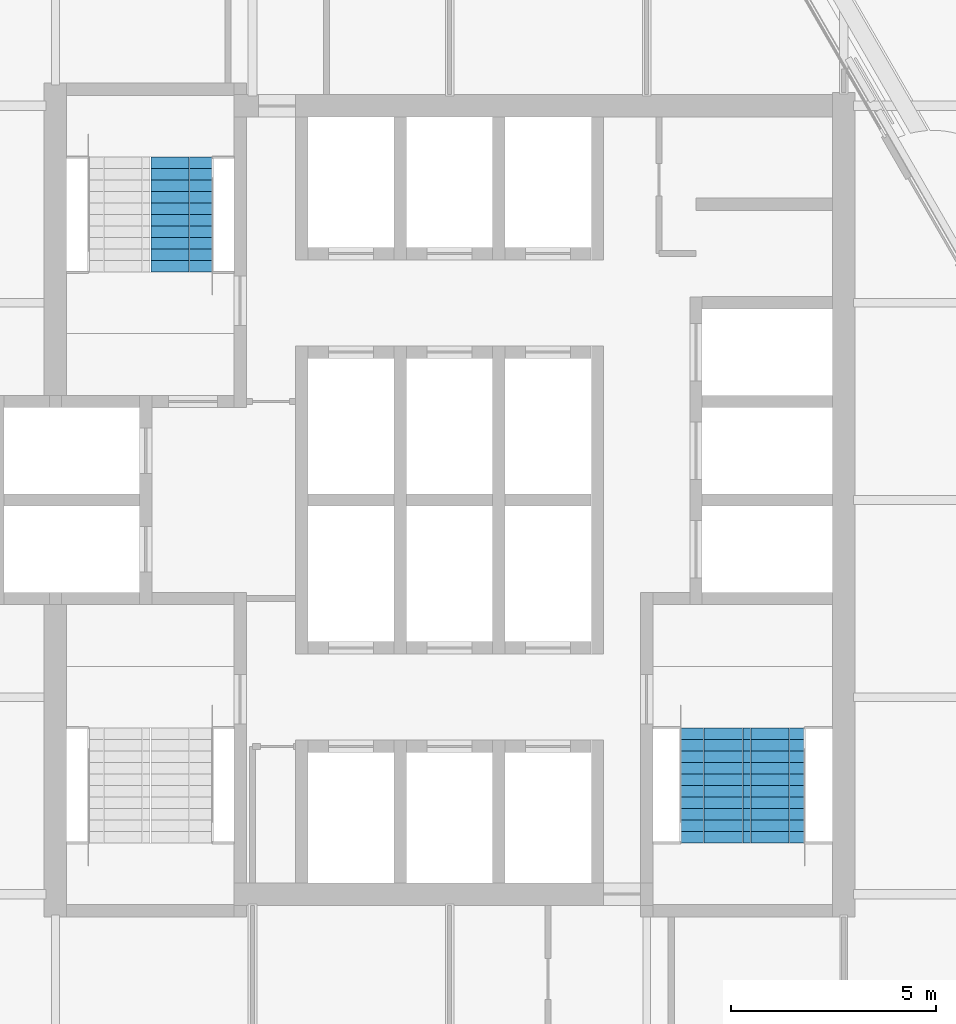
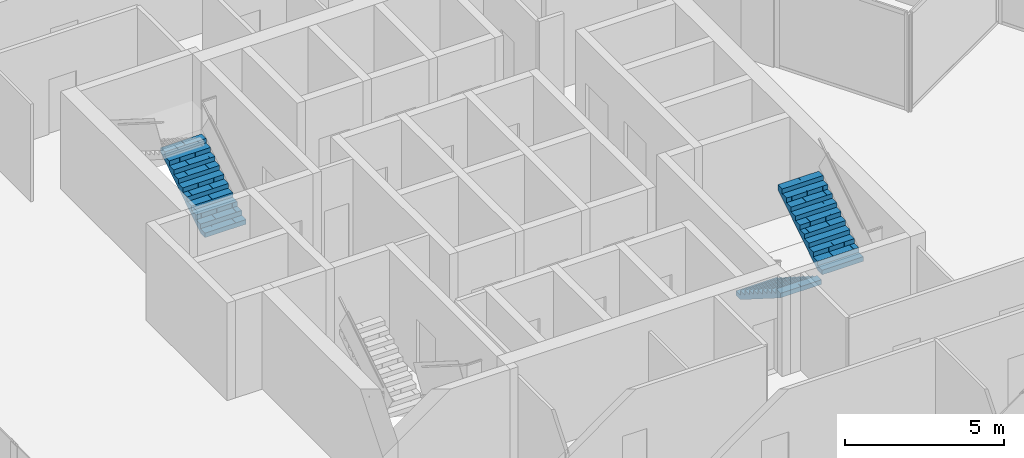
# One storey, part 15 of 17: 3 stair flights, 2 elements without a shape of their own.
"""IFC4 building model written with IfcOpenShell, lengths in metres."""

from ifc_helpers import new_model, si_unit, direction, frame, origin, place, context, subcontext, project, spatial, polyline, outline, extrude, material, type_object, element, aggregate, save


model = new_model("IFC4")

# Units and contexts
model_context = context("Model", 3, precision=1e-05, world=origin(), true_north=direction((0.0, 1.0)))
body_context = subcontext(model_context, "Body", "Model", "MODEL_VIEW")
ifc_project = project(units=[si_unit("LENGTHUNIT", "METRE"), si_unit("AREAUNIT", "SQUARE_METRE"), si_unit("VOLUMEUNIT", "CUBIC_METRE"), si_unit("PLANEANGLEUNIT", "RADIAN"), si_unit("MASSUNIT", "GRAM", prefix="KILO")], contexts=[model_context])

# Site, building, storey
site_placement = place(None, origin())
site = spatial("IfcSite", under=ifc_project, at=site_placement, CompositionType="ELEMENT")
building_placement = place(site_placement, origin())
building = spatial("IfcBuilding", under=site, at=building_placement, Name="Kolab Exchange Tower", CompositionType="ELEMENT")
storey_placement = place(building_placement, frame((0.0, 0.0, 285.199951171875)))
storey = spatial("IfcBuildingStorey", under=building, at=storey_placement, Name="L64", CompositionType="ELEMENT", Elevation=285.199951171875)

# Stair, stair flight
ifc_material = material(Name="Concrete C50/60", Category="concrete")
stair_type_1 = type_object("IfcStairType", Name="STAIR ST1 RISER 177.3", PredefinedType="HALF_TURN_STAIR", material=ifc_material)
stair_1_placement = place(storey_placement, origin())
stair_1 = element("IfcStair", 1, at=stair_1_placement, inside=storey, type_object=stair_type_1, Name="Stair 1", PredefinedType="HALF_TURN_STAIR")
stair_flight_type = type_object("IfcStairFlightType", Name="STAIR FLIGHT 1500 RISER 177.3", PredefinedType="STRAIGHT", material=ifc_material)
stair_flight_1_placement = place(storey_placement, frame((-6.527587890625, 5.550048828125, 0.0), z_axis=(0.0, 0.0, 1.0), x_axis=(0.0, 1.0, 0.0)))
stair_flight_1 = element("IfcStairFlight", 2, at=stair_flight_1_placement, type_object=stair_flight_type, Name="ST1 flight 1", NumberOfRisers=11, NumberOfTreads=10, PredefinedType="STRAIGHT", RiserHeight=0.177272727, TreadLength=0.28, context=body_context, shape_type="SweptSolid", body=[
    extrude(outline(polyline([(0.0, 0.0), (0.0, 0.17724609375), (0.280029296875, 0.17724609375), (0.280029296875, 0.3544921875), (0.56005859375, 0.3544921875), (0.56005859375, 0.53173828125), (0.840087890625, 0.53173828125), (0.840087890625, 0.708984375), (1.1201171875, 0.708984375), (1.1201171875, 0.886474609375), (1.39990234375, 0.886474609375), (1.39990234375, 1.063720703125), (1.679931640625, 1.063720703125), (1.679931640625, 1.240966796875), (1.9599609375, 1.240966796875), (1.9599609375, 1.418212890625), (2.239990234375, 1.418212890625), (2.239990234375, 1.595458984375), (2.52001953125, 1.595458984375), (2.52001953125, 1.772705078125), (2.800048828125, 1.772705078125), (2.800048828125, 1.949951171875), (2.800048828125, 1.59521484375), (0.2802734375, 0.0), (0.0, 0.0)])), frame((0.0, 0.75, 0.0), z_axis=(0.0, -1.0, 0.0), x_axis=(1.0, 0.0, 0.0)), (0.0, 0.0, 1.0), 0.185791015625),
    extrude(outline(polyline([(0.0, 0.0), (0.0, 0.17724609375), (0.280029296875, 0.17724609375), (0.280029296875, 0.3544921875), (0.56005859375, 0.3544921875), (0.56005859375, 0.53173828125), (0.840087890625, 0.53173828125), (0.840087890625, 0.708984375), (1.1201171875, 0.708984375), (1.1201171875, 0.886474609375), (1.39990234375, 0.886474609375), (1.39990234375, 1.063720703125), (1.679931640625, 1.063720703125), (1.679931640625, 1.240966796875), (1.9599609375, 1.240966796875), (1.9599609375, 1.418212890625), (2.239990234375, 1.418212890625), (2.239990234375, 1.595458984375), (2.52001953125, 1.595458984375), (2.52001953125, 1.772705078125), (2.800048828125, 1.772705078125), (2.800048828125, 1.949951171875), (2.800048828125, 1.59521484375), (0.2802734375, 0.0), (0.0, 0.0)])), frame((0.0, 0.562255859375, 0.0), z_axis=(0.0, -1.0, 0.0), x_axis=(1.0, 0.0, 0.0)), (0.0, 0.0, 1.0), 0.185791015625),
    extrude(outline(polyline([(0.0, 0.0), (0.0, 0.17724609375), (0.280029296875, 0.17724609375), (0.280029296875, 0.3544921875), (0.56005859375, 0.3544921875), (0.56005859375, 0.53173828125), (0.840087890625, 0.53173828125), (0.840087890625, 0.708984375), (1.1201171875, 0.708984375), (1.1201171875, 0.886474609375), (1.39990234375, 0.886474609375), (1.39990234375, 1.063720703125), (1.679931640625, 1.063720703125), (1.679931640625, 1.240966796875), (1.9599609375, 1.240966796875), (1.9599609375, 1.418212890625), (2.239990234375, 1.418212890625), (2.239990234375, 1.595458984375), (2.52001953125, 1.595458984375), (2.52001953125, 1.772705078125), (2.800048828125, 1.772705078125), (2.800048828125, 1.949951171875), (2.800048828125, 1.59521484375), (0.2802734375, 0.0), (0.0, 0.0)])), frame((0.0, 0.37451171875, 0.0), z_axis=(0.0, -1.0, 0.0), x_axis=(1.0, 0.0, 0.0)), (0.0, 0.0, 1.0), 0.185791015625),
    extrude(outline(polyline([(0.0, 0.0), (0.0, 0.17724609375), (0.280029296875, 0.17724609375), (0.280029296875, 0.3544921875), (0.56005859375, 0.3544921875), (0.56005859375, 0.53173828125), (0.840087890625, 0.53173828125), (0.840087890625, 0.708984375), (1.1201171875, 0.708984375), (1.1201171875, 0.886474609375), (1.39990234375, 0.886474609375), (1.39990234375, 1.063720703125), (1.679931640625, 1.063720703125), (1.679931640625, 1.240966796875), (1.9599609375, 1.240966796875), (1.9599609375, 1.418212890625), (2.239990234375, 1.418212890625), (2.239990234375, 1.595458984375), (2.52001953125, 1.595458984375), (2.52001953125, 1.772705078125), (2.800048828125, 1.772705078125), (2.800048828125, 1.949951171875), (2.800048828125, 1.59521484375), (0.2802734375, 0.0), (0.0, 0.0)])), frame((0.0, 0.186767578125, 0.0), z_axis=(0.0, -1.0, 0.0), x_axis=(1.0, 0.0, 0.0)), (0.0, 0.0, 1.0), 0.185791015625),
    extrude(outline(polyline([(0.0, 0.0), (0.0, 0.17724609375), (0.280029296875, 0.17724609375), (0.280029296875, 0.3544921875), (0.56005859375, 0.3544921875), (0.56005859375, 0.53173828125), (0.840087890625, 0.53173828125), (0.840087890625, 0.708984375), (1.1201171875, 0.708984375), (1.1201171875, 0.886474609375), (1.39990234375, 0.886474609375), (1.39990234375, 1.063720703125), (1.679931640625, 1.063720703125), (1.679931640625, 1.240966796875), (1.9599609375, 1.240966796875), (1.9599609375, 1.418212890625), (2.239990234375, 1.418212890625), (2.239990234375, 1.595458984375), (2.52001953125, 1.595458984375), (2.52001953125, 1.772705078125), (2.800048828125, 1.772705078125), (2.800048828125, 1.949951171875), (2.800048828125, 1.59521484375), (0.2802734375, 0.0), (0.0, 0.0)])), frame((0.0, -0.0009765625, 0.0), z_axis=(0.0, -1.0, 0.0), x_axis=(1.0, 0.0, 0.0)), (0.0, 0.0, 1.0), 0.185791015625),
    extrude(outline(polyline([(0.0, 0.0), (0.0, 0.17724609375), (0.280029296875, 0.17724609375), (0.280029296875, 0.3544921875), (0.56005859375, 0.3544921875), (0.56005859375, 0.53173828125), (0.840087890625, 0.53173828125), (0.840087890625, 0.708984375), (1.1201171875, 0.708984375), (1.1201171875, 0.886474609375), (1.39990234375, 0.886474609375), (1.39990234375, 1.063720703125), (1.679931640625, 1.063720703125), (1.679931640625, 1.240966796875), (1.9599609375, 1.240966796875), (1.9599609375, 1.418212890625), (2.239990234375, 1.418212890625), (2.239990234375, 1.595458984375), (2.52001953125, 1.595458984375), (2.52001953125, 1.772705078125), (2.800048828125, 1.772705078125), (2.800048828125, 1.949951171875), (2.800048828125, 1.59521484375), (0.2802734375, 0.0), (0.0, 0.0)])), frame((0.0, -0.188720703125, 0.0), z_axis=(0.0, -1.0, 0.0), x_axis=(1.0, 0.0, 0.0)), (0.0, 0.0, 1.0), 0.185791015625),
    extrude(outline(polyline([(0.0, 0.0), (0.0, 0.17724609375), (0.280029296875, 0.17724609375), (0.280029296875, 0.3544921875), (0.56005859375, 0.3544921875), (0.56005859375, 0.53173828125), (0.840087890625, 0.53173828125), (0.840087890625, 0.708984375), (1.1201171875, 0.708984375), (1.1201171875, 0.886474609375), (1.39990234375, 0.886474609375), (1.39990234375, 1.063720703125), (1.679931640625, 1.063720703125), (1.679931640625, 1.240966796875), (1.9599609375, 1.240966796875), (1.9599609375, 1.418212890625), (2.239990234375, 1.418212890625), (2.239990234375, 1.595458984375), (2.52001953125, 1.595458984375), (2.52001953125, 1.772705078125), (2.800048828125, 1.772705078125), (2.800048828125, 1.949951171875), (2.800048828125, 1.59521484375), (0.2802734375, 0.0), (0.0, 0.0)])), frame((0.0, -0.37646484375, 0.0), z_axis=(0.0, -1.0, 0.0), x_axis=(1.0, 0.0, 0.0)), (0.0, 0.0, 1.0), 0.185791015625),
    extrude(outline(polyline([(0.0, 0.0), (0.0, 0.17724609375), (0.280029296875, 0.17724609375), (0.280029296875, 0.3544921875), (0.56005859375, 0.3544921875), (0.56005859375, 0.53173828125), (0.840087890625, 0.53173828125), (0.840087890625, 0.708984375), (1.1201171875, 0.708984375), (1.1201171875, 0.886474609375), (1.39990234375, 0.886474609375), (1.39990234375, 1.063720703125), (1.679931640625, 1.063720703125), (1.679931640625, 1.240966796875), (1.9599609375, 1.240966796875), (1.9599609375, 1.418212890625), (2.239990234375, 1.418212890625), (2.239990234375, 1.595458984375), (2.52001953125, 1.595458984375), (2.52001953125, 1.772705078125), (2.800048828125, 1.772705078125), (2.800048828125, 1.949951171875), (2.800048828125, 1.59521484375), (0.2802734375, 0.0), (0.0, 0.0)])), frame((0.0, -0.564208984375, 0.0), z_axis=(0.0, -1.0, 0.0), x_axis=(1.0, 0.0, 0.0)), (0.0, 0.0, 1.0), 0.185791015625),
])
aggregate(stair_1, [stair_flight_1])

# Stair, stair flights
stair_type_2 = type_object("IfcStairType", Name="STAIR ST2 RISER 177.3", PredefinedType="HALF_TURN_STAIR", material=ifc_material)
stair_2_placement = place(storey_placement, origin())
stair_2 = element("IfcStair", 3, at=stair_2_placement, inside=storey, type_object=stair_type_2, Name="Stair 2", PredefinedType="HALF_TURN_STAIR")
stair_flight_2_placement = place(storey_placement, frame((6.37744140625, -5.550048828125, 0.0), z_axis=(0.0, 0.0, 1.0), x_axis=(0.0, -1.0, 0.0)))
stair_flight_2 = element("IfcStairFlight", 4, at=stair_flight_2_placement, type_object=stair_flight_type, Name="ST2 flight 1", NumberOfRisers=11, NumberOfTreads=10, PredefinedType="STRAIGHT", RiserHeight=0.177272727, TreadLength=0.28, context=body_context, shape_type="SweptSolid", body=[
    extrude(outline(polyline([(0.0, 0.0), (0.0, 0.17724609375), (0.280029296875, 0.17724609375), (0.280029296875, 0.3544921875), (0.56005859375, 0.3544921875), (0.56005859375, 0.53173828125), (0.840087890625, 0.53173828125), (0.840087890625, 0.708984375), (1.1201171875, 0.708984375), (1.1201171875, 0.886474609375), (1.39990234375, 0.886474609375), (1.39990234375, 1.063720703125), (1.679931640625, 1.063720703125), (1.679931640625, 1.240966796875), (1.9599609375, 1.240966796875), (1.9599609375, 1.418212890625), (2.239990234375, 1.418212890625), (2.239990234375, 1.595458984375), (2.52001953125, 1.595458984375), (2.52001953125, 1.772705078125), (2.800048828125, 1.772705078125), (2.800048828125, 1.949951171875), (2.800048828125, 1.59521484375), (0.2802734375, 0.0), (0.0, 0.0)])), frame((0.0, 0.75, 0.0), z_axis=(0.0, -1.0, 0.0), x_axis=(1.0, 0.0, 0.0)), (0.0, 0.0, 1.0), 0.185791015625),
    extrude(outline(polyline([(0.0, 0.0), (0.0, 0.17724609375), (0.280029296875, 0.17724609375), (0.280029296875, 0.3544921875), (0.56005859375, 0.3544921875), (0.56005859375, 0.53173828125), (0.840087890625, 0.53173828125), (0.840087890625, 0.708984375), (1.1201171875, 0.708984375), (1.1201171875, 0.886474609375), (1.39990234375, 0.886474609375), (1.39990234375, 1.063720703125), (1.679931640625, 1.063720703125), (1.679931640625, 1.240966796875), (1.9599609375, 1.240966796875), (1.9599609375, 1.418212890625), (2.239990234375, 1.418212890625), (2.239990234375, 1.595458984375), (2.52001953125, 1.595458984375), (2.52001953125, 1.772705078125), (2.800048828125, 1.772705078125), (2.800048828125, 1.949951171875), (2.800048828125, 1.59521484375), (0.2802734375, 0.0), (0.0, 0.0)])), frame((0.0, 0.562255859375, 0.0), z_axis=(0.0, -1.0, 0.0), x_axis=(1.0, 0.0, 0.0)), (0.0, 0.0, 1.0), 0.185791015625),
    extrude(outline(polyline([(0.0, 0.0), (0.0, 0.17724609375), (0.280029296875, 0.17724609375), (0.280029296875, 0.3544921875), (0.56005859375, 0.3544921875), (0.56005859375, 0.53173828125), (0.840087890625, 0.53173828125), (0.840087890625, 0.708984375), (1.1201171875, 0.708984375), (1.1201171875, 0.886474609375), (1.39990234375, 0.886474609375), (1.39990234375, 1.063720703125), (1.679931640625, 1.063720703125), (1.679931640625, 1.240966796875), (1.9599609375, 1.240966796875), (1.9599609375, 1.418212890625), (2.239990234375, 1.418212890625), (2.239990234375, 1.595458984375), (2.52001953125, 1.595458984375), (2.52001953125, 1.772705078125), (2.800048828125, 1.772705078125), (2.800048828125, 1.949951171875), (2.800048828125, 1.59521484375), (0.2802734375, 0.0), (0.0, 0.0)])), frame((0.0, 0.37451171875, 0.0), z_axis=(0.0, -1.0, 0.0), x_axis=(1.0, 0.0, 0.0)), (0.0, 0.0, 1.0), 0.185791015625),
    extrude(outline(polyline([(0.0, 0.0), (0.0, 0.17724609375), (0.280029296875, 0.17724609375), (0.280029296875, 0.3544921875), (0.56005859375, 0.3544921875), (0.56005859375, 0.53173828125), (0.840087890625, 0.53173828125), (0.840087890625, 0.708984375), (1.1201171875, 0.708984375), (1.1201171875, 0.886474609375), (1.39990234375, 0.886474609375), (1.39990234375, 1.063720703125), (1.679931640625, 1.063720703125), (1.679931640625, 1.240966796875), (1.9599609375, 1.240966796875), (1.9599609375, 1.418212890625), (2.239990234375, 1.418212890625), (2.239990234375, 1.595458984375), (2.52001953125, 1.595458984375), (2.52001953125, 1.772705078125), (2.800048828125, 1.772705078125), (2.800048828125, 1.949951171875), (2.800048828125, 1.59521484375), (0.2802734375, 0.0), (0.0, 0.0)])), frame((0.0, 0.186767578125, 0.0), z_axis=(0.0, -1.0, 0.0), x_axis=(1.0, 0.0, 0.0)), (0.0, 0.0, 1.0), 0.185791015625),
    extrude(outline(polyline([(0.0, 0.0), (0.0, 0.17724609375), (0.280029296875, 0.17724609375), (0.280029296875, 0.3544921875), (0.56005859375, 0.3544921875), (0.56005859375, 0.53173828125), (0.840087890625, 0.53173828125), (0.840087890625, 0.708984375), (1.1201171875, 0.708984375), (1.1201171875, 0.886474609375), (1.39990234375, 0.886474609375), (1.39990234375, 1.063720703125), (1.679931640625, 1.063720703125), (1.679931640625, 1.240966796875), (1.9599609375, 1.240966796875), (1.9599609375, 1.418212890625), (2.239990234375, 1.418212890625), (2.239990234375, 1.595458984375), (2.52001953125, 1.595458984375), (2.52001953125, 1.772705078125), (2.800048828125, 1.772705078125), (2.800048828125, 1.949951171875), (2.800048828125, 1.59521484375), (0.2802734375, 0.0), (0.0, 0.0)])), frame((0.0, -0.0009765625, 0.0), z_axis=(0.0, -1.0, 0.0), x_axis=(1.0, 0.0, 0.0)), (0.0, 0.0, 1.0), 0.185791015625),
    extrude(outline(polyline([(0.0, 0.0), (0.0, 0.17724609375), (0.280029296875, 0.17724609375), (0.280029296875, 0.3544921875), (0.56005859375, 0.3544921875), (0.56005859375, 0.53173828125), (0.840087890625, 0.53173828125), (0.840087890625, 0.708984375), (1.1201171875, 0.708984375), (1.1201171875, 0.886474609375), (1.39990234375, 0.886474609375), (1.39990234375, 1.063720703125), (1.679931640625, 1.063720703125), (1.679931640625, 1.240966796875), (1.9599609375, 1.240966796875), (1.9599609375, 1.418212890625), (2.239990234375, 1.418212890625), (2.239990234375, 1.595458984375), (2.52001953125, 1.595458984375), (2.52001953125, 1.772705078125), (2.800048828125, 1.772705078125), (2.800048828125, 1.949951171875), (2.800048828125, 1.59521484375), (0.2802734375, 0.0), (0.0, 0.0)])), frame((0.0, -0.188720703125, 0.0), z_axis=(0.0, -1.0, 0.0), x_axis=(1.0, 0.0, 0.0)), (0.0, 0.0, 1.0), 0.185791015625),
    extrude(outline(polyline([(0.0, 0.0), (0.0, 0.17724609375), (0.280029296875, 0.17724609375), (0.280029296875, 0.3544921875), (0.56005859375, 0.3544921875), (0.56005859375, 0.53173828125), (0.840087890625, 0.53173828125), (0.840087890625, 0.708984375), (1.1201171875, 0.708984375), (1.1201171875, 0.886474609375), (1.39990234375, 0.886474609375), (1.39990234375, 1.063720703125), (1.679931640625, 1.063720703125), (1.679931640625, 1.240966796875), (1.9599609375, 1.240966796875), (1.9599609375, 1.418212890625), (2.239990234375, 1.418212890625), (2.239990234375, 1.595458984375), (2.52001953125, 1.595458984375), (2.52001953125, 1.772705078125), (2.800048828125, 1.772705078125), (2.800048828125, 1.949951171875), (2.800048828125, 1.59521484375), (0.2802734375, 0.0), (0.0, 0.0)])), frame((0.0, -0.37646484375, 0.0), z_axis=(0.0, -1.0, 0.0), x_axis=(1.0, 0.0, 0.0)), (0.0, 0.0, 1.0), 0.185791015625),
    extrude(outline(polyline([(0.0, 0.0), (0.0, 0.17724609375), (0.280029296875, 0.17724609375), (0.280029296875, 0.3544921875), (0.56005859375, 0.3544921875), (0.56005859375, 0.53173828125), (0.840087890625, 0.53173828125), (0.840087890625, 0.708984375), (1.1201171875, 0.708984375), (1.1201171875, 0.886474609375), (1.39990234375, 0.886474609375), (1.39990234375, 1.063720703125), (1.679931640625, 1.063720703125), (1.679931640625, 1.240966796875), (1.9599609375, 1.240966796875), (1.9599609375, 1.418212890625), (2.239990234375, 1.418212890625), (2.239990234375, 1.595458984375), (2.52001953125, 1.595458984375), (2.52001953125, 1.772705078125), (2.800048828125, 1.772705078125), (2.800048828125, 1.949951171875), (2.800048828125, 1.59521484375), (0.2802734375, 0.0), (0.0, 0.0)])), frame((0.0, -0.564208984375, 0.0), z_axis=(0.0, -1.0, 0.0), x_axis=(1.0, 0.0, 0.0)), (0.0, 0.0, 1.0), 0.185791015625),
])
stair_flight_3_placement = place(storey_placement, frame((7.8974609375, -8.35009765625, 1.949951171875), z_axis=(0.0, 0.0, 1.0), x_axis=(0.0, 1.0, 0.0)))
stair_flight_3 = element("IfcStairFlight", 5, at=stair_flight_3_placement, type_object=stair_flight_type, Name="ST2 flight 2", NumberOfRisers=11, NumberOfTreads=10, PredefinedType="STRAIGHT", RiserHeight=0.177272727, TreadLength=0.28, context=body_context, shape_type="SweptSolid", body=[
    extrude(outline(polyline([(0.0, 0.0), (0.0, 0.17724609375), (0.280029296875, 0.17724609375), (0.280029296875, 0.3544921875), (0.56005859375, 0.3544921875), (0.56005859375, 0.53173828125), (0.840087890625, 0.53173828125), (0.840087890625, 0.708984375), (1.1201171875, 0.708984375), (1.1201171875, 0.886474609375), (1.39990234375, 0.886474609375), (1.39990234375, 1.063720703125), (1.679931640625, 1.063720703125), (1.679931640625, 1.240966796875), (1.9599609375, 1.240966796875), (1.9599609375, 1.418212890625), (2.239990234375, 1.418212890625), (2.239990234375, 1.595458984375), (2.52001953125, 1.595458984375), (2.52001953125, 1.772705078125), (2.800048828125, 1.772705078125), (2.800048828125, 1.949951171875), (2.800048828125, 1.59521484375), (0.2802734375, 0.0), (0.0, 0.0)])), frame((0.0, 0.75, 0.0), z_axis=(0.0, -1.0, 0.0), x_axis=(1.0, 0.0, 0.0)), (0.0, 0.0, 1.0), 0.185791015625),
    extrude(outline(polyline([(0.0, 0.0), (0.0, 0.17724609375), (0.280029296875, 0.17724609375), (0.280029296875, 0.3544921875), (0.56005859375, 0.3544921875), (0.56005859375, 0.53173828125), (0.840087890625, 0.53173828125), (0.840087890625, 0.708984375), (1.1201171875, 0.708984375), (1.1201171875, 0.886474609375), (1.39990234375, 0.886474609375), (1.39990234375, 1.063720703125), (1.679931640625, 1.063720703125), (1.679931640625, 1.240966796875), (1.9599609375, 1.240966796875), (1.9599609375, 1.418212890625), (2.239990234375, 1.418212890625), (2.239990234375, 1.595458984375), (2.52001953125, 1.595458984375), (2.52001953125, 1.772705078125), (2.800048828125, 1.772705078125), (2.800048828125, 1.949951171875), (2.800048828125, 1.59521484375), (0.2802734375, 0.0), (0.0, 0.0)])), frame((0.0, 0.562255859375, 0.0), z_axis=(0.0, -1.0, 0.0), x_axis=(1.0, 0.0, 0.0)), (0.0, 0.0, 1.0), 0.185791015625),
    extrude(outline(polyline([(0.0, 0.0), (0.0, 0.17724609375), (0.280029296875, 0.17724609375), (0.280029296875, 0.3544921875), (0.56005859375, 0.3544921875), (0.56005859375, 0.53173828125), (0.840087890625, 0.53173828125), (0.840087890625, 0.708984375), (1.1201171875, 0.708984375), (1.1201171875, 0.886474609375), (1.39990234375, 0.886474609375), (1.39990234375, 1.063720703125), (1.679931640625, 1.063720703125), (1.679931640625, 1.240966796875), (1.9599609375, 1.240966796875), (1.9599609375, 1.418212890625), (2.239990234375, 1.418212890625), (2.239990234375, 1.595458984375), (2.52001953125, 1.595458984375), (2.52001953125, 1.772705078125), (2.800048828125, 1.772705078125), (2.800048828125, 1.949951171875), (2.800048828125, 1.59521484375), (0.2802734375, 0.0), (0.0, 0.0)])), frame((0.0, 0.37451171875, 0.0), z_axis=(0.0, -1.0, 0.0), x_axis=(1.0, 0.0, 0.0)), (0.0, 0.0, 1.0), 0.185791015625),
    extrude(outline(polyline([(0.0, 0.0), (0.0, 0.17724609375), (0.280029296875, 0.17724609375), (0.280029296875, 0.3544921875), (0.56005859375, 0.3544921875), (0.56005859375, 0.53173828125), (0.840087890625, 0.53173828125), (0.840087890625, 0.708984375), (1.1201171875, 0.708984375), (1.1201171875, 0.886474609375), (1.39990234375, 0.886474609375), (1.39990234375, 1.063720703125), (1.679931640625, 1.063720703125), (1.679931640625, 1.240966796875), (1.9599609375, 1.240966796875), (1.9599609375, 1.418212890625), (2.239990234375, 1.418212890625), (2.239990234375, 1.595458984375), (2.52001953125, 1.595458984375), (2.52001953125, 1.772705078125), (2.800048828125, 1.772705078125), (2.800048828125, 1.949951171875), (2.800048828125, 1.59521484375), (0.2802734375, 0.0), (0.0, 0.0)])), frame((0.0, 0.186767578125, 0.0), z_axis=(0.0, -1.0, 0.0), x_axis=(1.0, 0.0, 0.0)), (0.0, 0.0, 1.0), 0.185791015625),
    extrude(outline(polyline([(0.0, 0.0), (0.0, 0.17724609375), (0.280029296875, 0.17724609375), (0.280029296875, 0.3544921875), (0.56005859375, 0.3544921875), (0.56005859375, 0.53173828125), (0.840087890625, 0.53173828125), (0.840087890625, 0.708984375), (1.1201171875, 0.708984375), (1.1201171875, 0.886474609375), (1.39990234375, 0.886474609375), (1.39990234375, 1.063720703125), (1.679931640625, 1.063720703125), (1.679931640625, 1.240966796875), (1.9599609375, 1.240966796875), (1.9599609375, 1.418212890625), (2.239990234375, 1.418212890625), (2.239990234375, 1.595458984375), (2.52001953125, 1.595458984375), (2.52001953125, 1.772705078125), (2.800048828125, 1.772705078125), (2.800048828125, 1.949951171875), (2.800048828125, 1.59521484375), (0.2802734375, 0.0), (0.0, 0.0)])), frame((0.0, -0.0009765625, 0.0), z_axis=(0.0, -1.0, 0.0), x_axis=(1.0, 0.0, 0.0)), (0.0, 0.0, 1.0), 0.185791015625),
    extrude(outline(polyline([(0.0, 0.0), (0.0, 0.17724609375), (0.280029296875, 0.17724609375), (0.280029296875, 0.3544921875), (0.56005859375, 0.3544921875), (0.56005859375, 0.53173828125), (0.840087890625, 0.53173828125), (0.840087890625, 0.708984375), (1.1201171875, 0.708984375), (1.1201171875, 0.886474609375), (1.39990234375, 0.886474609375), (1.39990234375, 1.063720703125), (1.679931640625, 1.063720703125), (1.679931640625, 1.240966796875), (1.9599609375, 1.240966796875), (1.9599609375, 1.418212890625), (2.239990234375, 1.418212890625), (2.239990234375, 1.595458984375), (2.52001953125, 1.595458984375), (2.52001953125, 1.772705078125), (2.800048828125, 1.772705078125), (2.800048828125, 1.949951171875), (2.800048828125, 1.59521484375), (0.2802734375, 0.0), (0.0, 0.0)])), frame((0.0, -0.188720703125, 0.0), z_axis=(0.0, -1.0, 0.0), x_axis=(1.0, 0.0, 0.0)), (0.0, 0.0, 1.0), 0.185791015625),
    extrude(outline(polyline([(0.0, 0.0), (0.0, 0.17724609375), (0.280029296875, 0.17724609375), (0.280029296875, 0.3544921875), (0.56005859375, 0.3544921875), (0.56005859375, 0.53173828125), (0.840087890625, 0.53173828125), (0.840087890625, 0.708984375), (1.1201171875, 0.708984375), (1.1201171875, 0.886474609375), (1.39990234375, 0.886474609375), (1.39990234375, 1.063720703125), (1.679931640625, 1.063720703125), (1.679931640625, 1.240966796875), (1.9599609375, 1.240966796875), (1.9599609375, 1.418212890625), (2.239990234375, 1.418212890625), (2.239990234375, 1.595458984375), (2.52001953125, 1.595458984375), (2.52001953125, 1.772705078125), (2.800048828125, 1.772705078125), (2.800048828125, 1.949951171875), (2.800048828125, 1.59521484375), (0.2802734375, 0.0), (0.0, 0.0)])), frame((0.0, -0.37646484375, 0.0), z_axis=(0.0, -1.0, 0.0), x_axis=(1.0, 0.0, 0.0)), (0.0, 0.0, 1.0), 0.185791015625),
    extrude(outline(polyline([(0.0, 0.0), (0.0, 0.17724609375), (0.280029296875, 0.17724609375), (0.280029296875, 0.3544921875), (0.56005859375, 0.3544921875), (0.56005859375, 0.53173828125), (0.840087890625, 0.53173828125), (0.840087890625, 0.708984375), (1.1201171875, 0.708984375), (1.1201171875, 0.886474609375), (1.39990234375, 0.886474609375), (1.39990234375, 1.063720703125), (1.679931640625, 1.063720703125), (1.679931640625, 1.240966796875), (1.9599609375, 1.240966796875), (1.9599609375, 1.418212890625), (2.239990234375, 1.418212890625), (2.239990234375, 1.595458984375), (2.52001953125, 1.595458984375), (2.52001953125, 1.772705078125), (2.800048828125, 1.772705078125), (2.800048828125, 1.949951171875), (2.800048828125, 1.59521484375), (0.2802734375, 0.0), (0.0, 0.0)])), frame((0.0, -0.564208984375, 0.0), z_axis=(0.0, -1.0, 0.0), x_axis=(1.0, 0.0, 0.0)), (0.0, 0.0, 1.0), 0.185791015625),
])
aggregate(stair_2, [stair_flight_2, stair_flight_3])

save(model, "model.ifc")
